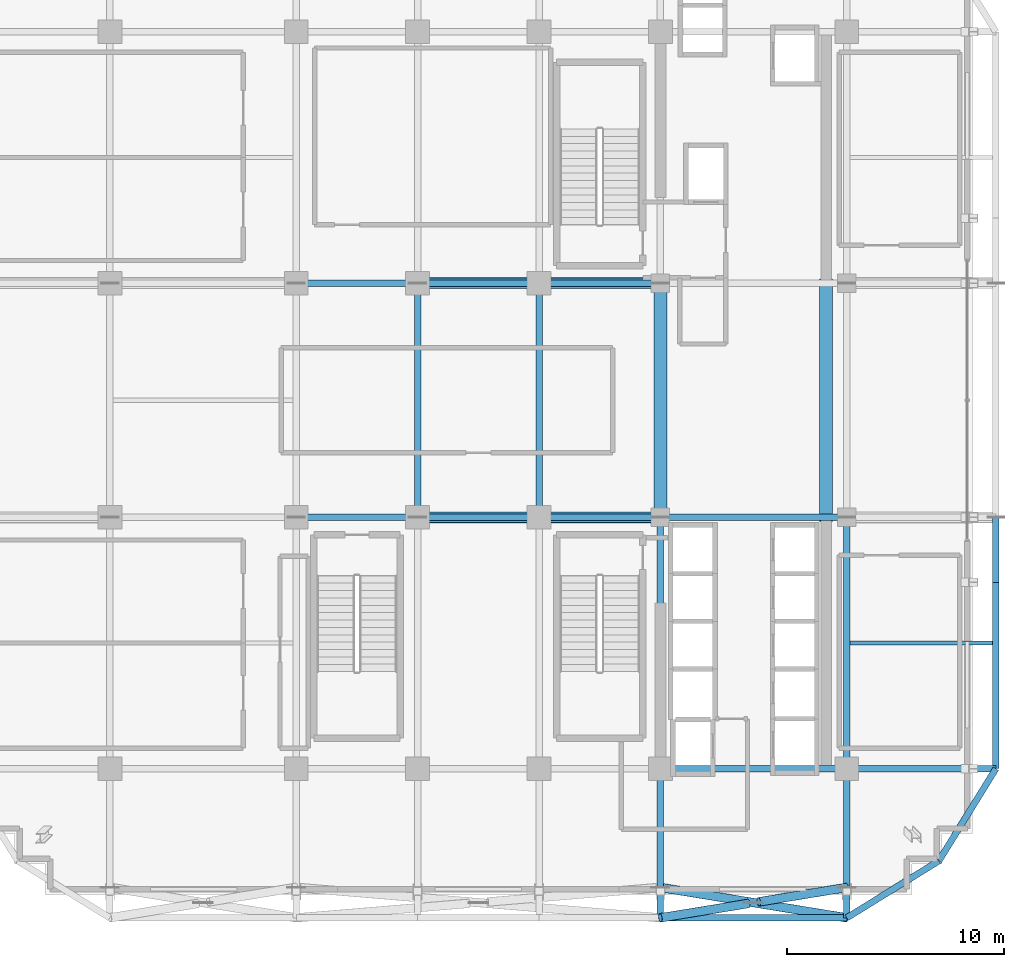
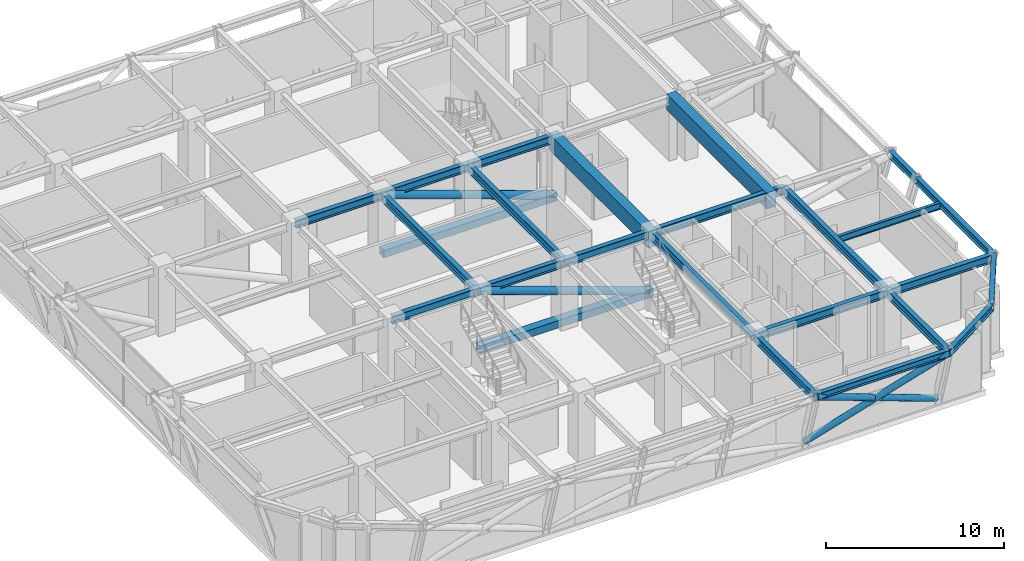
# One storey, part 5 of 16: 23 beams, 7 members.
"""IFC4 building model written with IfcOpenShell, lengths in metres."""

from ifc_helpers import new_model, si_unit, direction, frame, origin, origin_2d, place, context, subcontext, project, spatial, rectangle, hollow_rectangle, hollow_circle, i_section, extrude, source, transform, mapped, material, material_profile, profile_set, type_object, element, save


model = new_model("IFC4")

# Units and contexts
model_context = context("Model", 3, precision=1e-05, world=origin(), true_north=direction((0.0, 1.0)))
body_context = subcontext(model_context, "Body", "Model", "MODEL_VIEW")
ifc_project = project(units=[si_unit("LENGTHUNIT", "METRE"), si_unit("AREAUNIT", "SQUARE_METRE"), si_unit("VOLUMEUNIT", "CUBIC_METRE"), si_unit("PLANEANGLEUNIT", "RADIAN"), si_unit("MASSUNIT", "GRAM", prefix="KILO")], contexts=[model_context])

# Site, building, storey
site_placement = place(None, origin())
site = spatial("IfcSite", under=ifc_project, at=site_placement, CompositionType="ELEMENT")
building_placement = place(site_placement, origin())
building = spatial("IfcBuilding", under=site, at=building_placement, Name="Nahalor Promenade Grand Hotel", CompositionType="ELEMENT")
storey_placement = place(building_placement, frame((0.0, 0.0, 200.10009765625)))
storey = spatial("IfcBuildingStorey", under=building, at=storey_placement, Name="L51", CompositionType="ELEMENT", Elevation=200.10009765625)

# Beams
ifc_material_1 = material(Name="Concrete B-60 (C50/60)", Category="concrete")
ifc_material_profile_1 = material_profile(ifc_material_1, rectangle(XDim=0.6, YDim=1.1, at=origin_2d()), Name="RC 600x1100")
ifc_profile_set_1 = profile_set([ifc_material_profile_1], Name="Concrete B-60 (C50/60)")
beam_type_1 = type_object("IfcBeamType", Name="Beam-Lintel-RC1100", PredefinedType="LINTEL", material=ifc_profile_set_1)
shared_shape_1 = source(origin(), body_context, "Body", "SweptSolid", [
    extrude(rectangle(XDim=0.6, YDim=1.1, at=origin_2d()), origin(), (0.0, 0.0, 1.0), 11.2001953125),
])
for number, where, z_axis, x_axis, name in (
    (1, (8.39990234375, -5.60009765625, 3.9599609375), (0.0, 1.0, 0.0), (-1.0, 0.0, 0.0), "BM-L51-LINT-W"),
    (2, (16.050048828125, -5.60009765625, 3.9599609375), (0.0, 1.0, 0.0), (-1.0, 0.0, 0.0), "BM-L51-LINT-E"),
):
    element("IfcBeam", number, at=place(storey_placement, frame(where, z_axis=z_axis, x_axis=x_axis)), inside=storey, type_object=beam_type_1, Name=name, PredefinedType="LINTEL", context=body_context, shape_type="MappedRepresentation", body=[
        mapped(shared_shape_1, transform((0.0, 0.0, 0.0), scale=1.0)),
    ])
ifc_material_2 = material(Name="Steel S355JR", Category="steel")
ifc_material_profile_2 = material_profile(ifc_material_2, i_section(OverallWidth=0.3, OverallDepth=0.55, WebThickness=0.015, FlangeThickness=0.029, at=origin_2d()), Name="HEB 550")
ifc_profile_set_2 = profile_set([ifc_material_profile_2], Name="Steel S355JR")
beam_type_2 = type_object("IfcBeamType", Name="Beam-Girder-HEB550", PredefinedType="BEAM", material=ifc_profile_set_2)
shared_shape_2 = source(origin(), body_context, "Body", "SweptSolid", [
    extrude(i_section(OverallWidth=0.3, OverallDepth=0.55, WebThickness=0.015, FlangeThickness=0.029, at=origin_2d()), origin(), (0.0, 0.0, 1.0), 8.60009765625),
])
for number, where, z_axis, x_axis, name in (
    (3, (8.39990234375, -17.0, 4.23486328125), (1.0, 0.0, 0.0), (0.0, 1.0, 0.0), "BM-L51-GX-0-5"),
    (4, (8.39990234375, -5.39990234375, 4.23486328125), (1.0, 0.0, 0.0), (0.0, 1.0, 0.0), "BM-L51-GX-1-5"),
):
    element("IfcBeam", number, at=place(storey_placement, frame(where, z_axis=z_axis, x_axis=x_axis)), inside=storey, type_object=beam_type_2, Name=name, PredefinedType="BEAM", context=body_context, shape_type="MappedRepresentation", body=[
        mapped(shared_shape_2, transform((0.0, 0.0, 0.0), scale=1.0)),
    ])
shared_shape_3 = source(origin(), body_context, "Body", "SweptSolid", [
    extrude(i_section(OverallWidth=0.3, OverallDepth=0.55, WebThickness=0.015, FlangeThickness=0.029, at=origin_2d()), origin(), (0.0, 0.0, 1.0), 5.599853515625),
])
for number, where, z_axis, x_axis, name in (
    (5, (-8.39990234375, -5.39990234375, 4.23486328125), (1.0, 0.0, 0.0), (0.0, 1.0, 0.0), "BM-L51-GX-1-2"),
    (6, (2.800048828125, -5.39990234375, 4.23486328125), (1.0, 0.0, 0.0), (0.0, 1.0, 0.0), "BM-L51-GX-1-4"),
    (7, (-8.39990234375, 5.39990234375, 4.23486328125), (1.0, 0.0, 0.0), (0.0, 1.0, 0.0), "BM-L51-GX-2-2"),
    (8, (2.800048828125, 5.39990234375, 4.23486328125), (1.0, 0.0, 0.0), (0.0, 1.0, 0.0), "BM-L51-GX-2-4"),
):
    element("IfcBeam", number, at=place(storey_placement, frame(where, z_axis=z_axis, x_axis=x_axis)), inside=storey, type_object=beam_type_2, Name=name, PredefinedType="BEAM", context=body_context, shape_type="MappedRepresentation", body=[
        mapped(shared_shape_3, transform((0.0, 0.0, 0.0), scale=1.0)),
    ])
shared_shape_4 = source(origin(), body_context, "Body", "SweptSolid", [
    extrude(i_section(OverallWidth=0.3, OverallDepth=0.55, WebThickness=0.015, FlangeThickness=0.029, at=origin_2d()), origin(), (0.0, 0.0, 1.0), 5.60009765625),
])
for number, where, z_axis, x_axis, name in (
    (9, (-2.800048828125, -5.39990234375, 4.23486328125), (1.0, 0.0, 0.0), (0.0, 1.0, 0.0), "BM-L51-GX-1-3"),
    (10, (-2.800048828125, 5.39990234375, 4.23486328125), (1.0, 0.0, 0.0), (0.0, 1.0, 0.0), "BM-L51-GX-2-3"),
):
    element("IfcBeam", number, at=place(storey_placement, frame(where, z_axis=z_axis, x_axis=x_axis)), inside=storey, type_object=beam_type_2, Name=name, PredefinedType="BEAM", context=body_context, shape_type="MappedRepresentation", body=[
        mapped(shared_shape_4, transform((0.0, 0.0, 0.0), scale=1.0)),
    ])
shared_shape_5 = source(origin(), body_context, "Body", "SweptSolid", [
    extrude(i_section(OverallWidth=0.3, OverallDepth=0.55, WebThickness=0.015, FlangeThickness=0.029, at=origin_2d()), origin(), (0.0, 0.0, 1.0), 11.60009765625),
])
for number, where, z_axis, x_axis, name in (
    (11, (8.39990234375, -17.0, 4.23486328125), (0.0, 1.0, 0.0), (-1.0, 0.0, 0.0), "BM-L51-GY-4-1"),
    (12, (17.0, -17.0, 4.23486328125), (0.0, 1.0, 0.0), (-1.0, 0.0, 0.0), "BM-L51-GY-5-1"),
):
    element("IfcBeam", number, at=place(storey_placement, frame(where, z_axis=z_axis, x_axis=x_axis)), inside=storey, type_object=beam_type_2, Name=name, PredefinedType="BEAM", context=body_context, shape_type="MappedRepresentation", body=[
        mapped(shared_shape_5, transform((0.0, 0.0, 0.0), scale=1.0)),
    ])
shared_shape_6 = source(origin(), body_context, "Body", "SweptSolid", [
    extrude(i_section(OverallWidth=0.3, OverallDepth=0.55, WebThickness=0.015, FlangeThickness=0.029, at=origin_2d()), origin(), (0.0, 0.0, 1.0), 10.7998046875),
])
for number, where, z_axis, x_axis, name in (
    (13, (-2.800048828125, -5.39990234375, 4.23486328125), (0.0, 1.0, 0.0), (-1.0, 0.0, 0.0), "BM-L51-GY-2-2"),
    (14, (2.800048828125, -5.39990234375, 4.23486328125), (0.0, 1.0, 0.0), (-1.0, 0.0, 0.0), "BM-L51-GY-3-2"),
):
    element("IfcBeam", number, at=place(storey_placement, frame(where, z_axis=z_axis, x_axis=x_axis)), inside=storey, type_object=beam_type_2, Name=name, PredefinedType="BEAM", context=body_context, shape_type="MappedRepresentation", body=[
        mapped(shared_shape_6, transform((0.0, 0.0, 0.0), scale=1.0)),
    ])
ifc_material_profile_3 = material_profile(ifc_material_2, i_section(OverallWidth=0.3, OverallDepth=0.45, WebThickness=0.014, FlangeThickness=0.026, at=origin_2d()), Name="HEB 450")
ifc_profile_set_3 = profile_set([ifc_material_profile_3], Name="Steel S355JR")
beam_type_3 = type_object("IfcBeamType", Name="Beam-Spandrel-HEB450", PredefinedType="SPANDREL", material=ifc_profile_set_3)
shared_shape_7 = source(origin(), body_context, "Body", "SweptSolid", [
    extrude(i_section(OverallWidth=0.3, OverallDepth=0.45, WebThickness=0.014, FlangeThickness=0.026, at=origin_2d()), origin(), (0.0, 0.0, 1.0), 8.60009765625),
])
for number, where, z_axis, x_axis, name in (
    (15, (8.39990234375, -23.8798828125, 4.284912109375), (1.0, 0.0, 0.0), (0.0, 1.0, 0.0), "BM-L51-SP-S-4"),
    (16, (23.8798828125, -17.0, 4.284912109375), (0.0, 1.0, 0.0), (-1.0, 0.0, 0.0), "BM-L51-SP-E-0"),
):
    element("IfcBeam", number, at=place(storey_placement, frame(where, z_axis=z_axis, x_axis=x_axis)), inside=storey, type_object=beam_type_3, Name=name, PredefinedType="SPANDREL", context=body_context, shape_type="MappedRepresentation", body=[
        mapped(shared_shape_7, transform((0.0, 0.0, 0.0), scale=1.0)),
    ])
shared_shape_8 = source(origin(), body_context, "Body", "SweptSolid", [
    extrude(i_section(OverallWidth=0.3, OverallDepth=0.45, WebThickness=0.014, FlangeThickness=0.026, at=origin_2d()), origin(), (0.0, 0.0, 1.0), 3.0),
])
beam_1_placement = place(storey_placement, frame((23.8798828125, -8.39990234375, 4.284912109375), z_axis=(0.0, 1.0, 0.0), x_axis=(-1.0, 0.0, 0.0)))
element("IfcBeam", 17, at=beam_1_placement, inside=storey, type_object=beam_type_3, Name="BM-L51-SP-E-1", PredefinedType="SPANDREL", context=body_context, shape_type="MappedRepresentation", body=[
    mapped(shared_shape_8, transform((0.0, 0.0, 0.0), scale=1.0)),
])
shared_shape_9 = source(origin(), body_context, "Body", "SweptSolid", [
    extrude(i_section(OverallWidth=0.3, OverallDepth=0.55, WebThickness=0.015, FlangeThickness=0.029, at=origin_2d()), origin(), (0.0, 0.0, 1.0), 6.8798828125),
])
for number, where, z_axis, x_axis, name in (
    (18, (17.0, -17.0, 4.23486328125), (1.0, 0.0, 0.0), (0.0, 1.0, 0.0), "BM-L51-GX-0-6"),
    (19, (8.39990234375, -23.8798828125, 4.23486328125), (0.0, 1.0, 0.0), (-1.0, 0.0, 0.0), "BM-L51-GY-4-0"),
    (20, (17.0, -23.8798828125, 4.23486328125), (0.0, 1.0, 0.0), (-1.0, 0.0, 0.0), "BM-L51-GY-5-0"),
):
    element("IfcBeam", number, at=place(storey_placement, frame(where, z_axis=z_axis, x_axis=x_axis)), inside=storey, type_object=beam_type_2, Name=name, PredefinedType="BEAM", context=body_context, shape_type="MappedRepresentation", body=[
        mapped(shared_shape_9, transform((0.0, 0.0, 0.0), scale=1.0)),
    ])
shared_shape_10 = source(origin(), body_context, "Body", "SweptSolid", [
    extrude(i_section(OverallWidth=0.3, OverallDepth=0.45, WebThickness=0.014, FlangeThickness=0.026, at=origin_2d()), origin(), (0.0, 0.0, 1.0), 4.997802734375),
])
for number, where, z_axis, x_axis, name in (
    (21, (17.0, -23.8798828125, 4.284912109375), (0.850360908404, 0.526199891161, 0.0), (-0.526199891161, 0.850360908404, 0.0), "BM-L51-SPC-SE-1"),
    (22, (21.25, -21.25, 4.284912109375), (0.526199891161, 0.850360908404, 0.0), (-0.850360908404, 0.526199891161, 0.0), "BM-L51-SPC-SE-2"),
):
    element("IfcBeam", number, at=place(storey_placement, frame(where, z_axis=z_axis, x_axis=x_axis)), inside=storey, type_object=beam_type_3, Name=name, PredefinedType="SPANDREL", context=body_context, shape_type="MappedRepresentation", body=[
        mapped(shared_shape_10, transform((0.0, 0.0, 0.0), scale=1.0)),
    ])
ifc_material_profile_4 = material_profile(ifc_material_2, i_section(OverallWidth=0.19, OverallDepth=0.45, WebThickness=0.0094, FlangeThickness=0.0146, at=origin_2d()), Name="IPE 450")
ifc_profile_set_4 = profile_set([ifc_material_profile_4], Name="Steel S355JR")
beam_type_4 = type_object("IfcBeamType", Name="Beam-Joist-IPE450", PredefinedType="JOIST", material=ifc_profile_set_4)
shared_shape_11 = source(origin(), body_context, "Body", "SweptSolid", [
    extrude(i_section(OverallWidth=0.19, OverallDepth=0.45, WebThickness=0.0094, FlangeThickness=0.0146, at=origin_2d()), origin(), (0.0, 0.0, 1.0), 6.580078125),
])
beam_2_placement = place(storey_placement, frame((17.14990234375, -11.199951171875, 4.284912109375), z_axis=(1.0, 0.0, 0.0), x_axis=(0.0, 1.0, 0.0)))
element("IfcBeam", 23, at=beam_2_placement, inside=storey, type_object=beam_type_4, Name="BM-L51-JSE-0-2", PredefinedType="JOIST", context=body_context, shape_type="MappedRepresentation", body=[
    mapped(shared_shape_11, transform((0.0, 0.0, 0.0), scale=1.0)),
])

# Members
ifc_material_3 = material(Name="Steel S355J2", Category="steel")
ifc_material_profile_5 = material_profile(ifc_material_3, hollow_rectangle(XDim=0.5, YDim=0.5, WallThickness=0.032, at=origin_2d()), Name="SHS 500x500x32")
ifc_profile_set_5 = profile_set([ifc_material_profile_5], Name="Steel S355J2")
member_type_1 = type_object("IfcMemberType", Name="Mem-Chord-SHS500", PredefinedType="CHORD", material=ifc_profile_set_5)
shared_shape_12 = source(origin(), body_context, "Body", "SweptSolid", [
    extrude(hollow_rectangle(XDim=0.5, YDim=0.5, WallThickness=0.032, at=origin_2d()), origin(), (0.0, 0.0, 1.0), 11.199951171875),
])
for number, where, z_axis, x_axis, name in (
    (24, (8.39990234375, -5.39990234375, 0.2998046875), (-1.0, 0.0, 0.0), (0.0, -1.0, 0.0), "OU-L51-W1-C0"),
    (25, (8.39990234375, 5.39990234375, 0.2998046875), (-1.0, 0.0, 0.0), (0.0, -1.0, 0.0), "OU-L51-W2-C0"),
):
    element("IfcMember", number, at=place(storey_placement, frame(where, z_axis=z_axis, x_axis=x_axis)), inside=storey, type_object=member_type_1, Name=name, PredefinedType="CHORD", context=body_context, shape_type="MappedRepresentation", body=[
        mapped(shared_shape_12, transform((0.0, 0.0, 0.0), scale=1.0)),
    ])
ifc_material_profile_6 = material_profile(ifc_material_3, hollow_circle(Radius=0.254, WallThickness=0.025, at=origin_2d()), Name="CHS 508x25")
ifc_profile_set_6 = profile_set([ifc_material_profile_6], Name="Steel S355J2")
member_type_2 = type_object("IfcMemberType", Name="Mem-OutDiag-CHS508", PredefinedType="BRACE", material=ifc_profile_set_6)
shared_shape_13 = source(origin(), body_context, "Body", "SweptSolid", [
    extrude(hollow_circle(Radius=0.254, WallThickness=0.025, at=origin_2d()), origin(), (0.0, 0.0, 1.0), 11.876220703125),
])
for number, where, z_axis, x_axis, name in (
    (26, (8.39990234375, -5.39990234375, 0.2998046875), (-0.943062419849, 0.0, 0.332615802794), (0.0, -1.0, 0.0), "OU-L51-W1-D0"),
    (27, (8.39990234375, 5.39990234375, 0.2998046875), (-0.943062419849, 0.0, 0.332615802794), (0.0, -1.0, 0.0), "OU-L51-W2-D0"),
):
    element("IfcMember", number, at=place(storey_placement, frame(where, z_axis=z_axis, x_axis=x_axis)), inside=storey, type_object=member_type_2, Name=name, PredefinedType="BRACE", context=body_context, shape_type="MappedRepresentation", body=[
        mapped(shared_shape_13, transform((0.0, 0.0, 0.0), scale=1.0)),
    ])
ifc_material_profile_7 = material_profile(ifc_material_3, hollow_circle(Radius=0.2032, WallThickness=0.02, at=origin_2d()), Name="CHS 406.4x20")
ifc_profile_set_7 = profile_set([ifc_material_profile_7], Name="Steel S355J2")
member_type_3 = type_object("IfcMemberType", Name="Mem-BeltDiag-CHS406", PredefinedType="BRACE", material=ifc_profile_set_7)
shared_shape_14 = source(origin(), body_context, "Body", "SweptSolid", [
    extrude(hollow_circle(Radius=0.2032, WallThickness=0.02, at=origin_2d()), origin(), (0.0, 0.0, 1.0), 9.56689453125),
])
member_placement = place(storey_placement, frame((8.39990234375, -22.47998046875, 0.2998046875), z_axis=(0.898943606777, -0.146327787465, 0.412902616183), x_axis=(0.160662906265, 0.987009336607, 0.0)))
element("IfcMember", 28, at=member_placement, inside=storey, type_object=member_type_3, Name="BT-L51-S-D1-2", PredefinedType="BRACE", context=body_context, shape_type="MappedRepresentation", body=[
    mapped(shared_shape_14, transform((0.0, 0.0, 0.0), scale=1.0)),
])
shared_shape_15 = source(origin(), body_context, "Body", "SweptSolid", [
    extrude(hollow_circle(Radius=0.2032, WallThickness=0.02, at=origin_2d()), origin(), (0.0, 0.0, 1.0), 4.512451171875),
])
for number, where, z_axis, x_axis, name in (
    (29, (17.0, -22.47998046875, 0.2998046875), (-0.898932333488, -0.146350403977, 0.412919143496), (0.1606890604, -0.987005078947, 0.0), "BT-L51-S-D2-2A"),
    (30, (12.456298828125, -23.2197265625, 2.38671875), (-0.898939450086, -0.146297458503, 0.412922412462), (0.160631188994, -0.987014498942, 0.0), "BT-L51-S-D2-2B"),
):
    element("IfcMember", number, at=place(storey_placement, frame(where, z_axis=z_axis, x_axis=x_axis)), inside=storey, type_object=member_type_3, Name=name, PredefinedType="BRACE", context=body_context, shape_type="MappedRepresentation", body=[
        mapped(shared_shape_15, transform((0.0, 0.0, 0.0), scale=1.0)),
    ])

save(model, "model.ifc")
